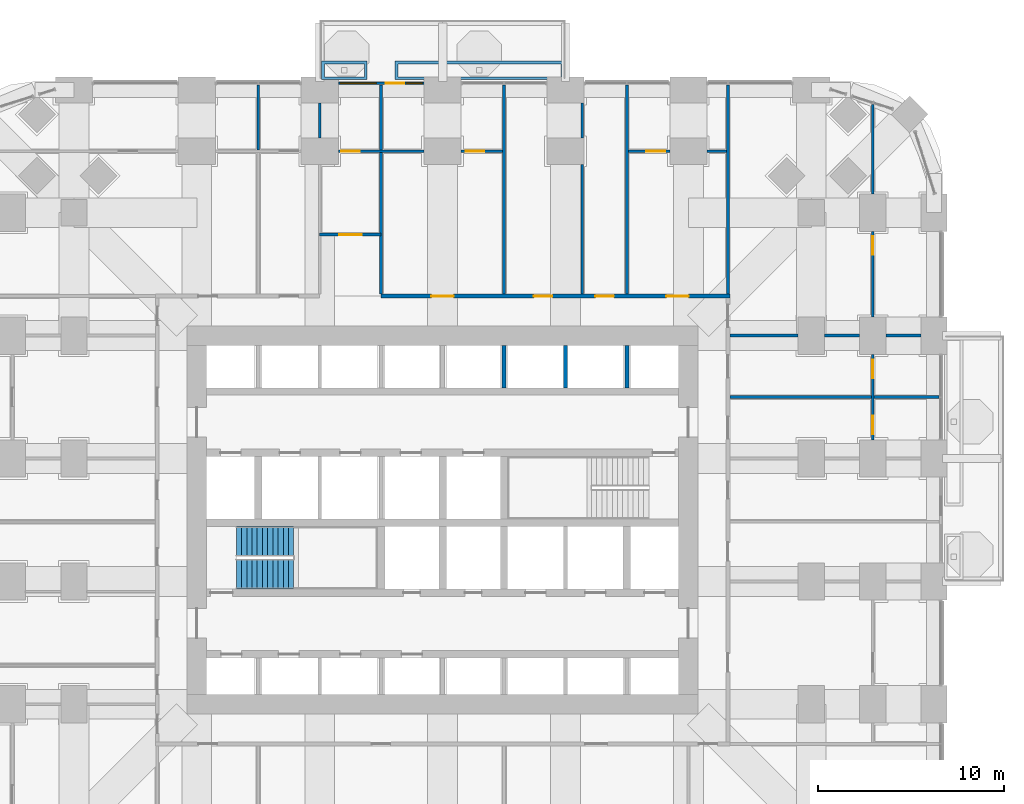
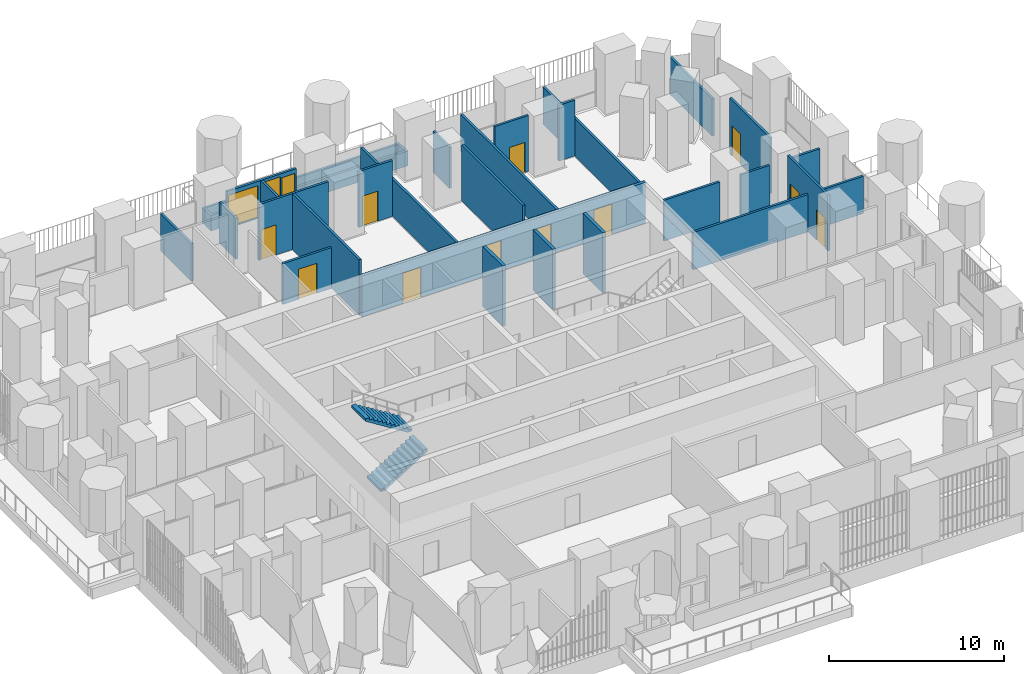
# One storey, part 19 of 25: 28 walls, 12 doors, 2 stair flights, 2 windows, 14 openings, 1 element without a shape of its own.
"""IFC4 building model written with IfcOpenShell, lengths in metres."""

from ifc_helpers import new_model, si_unit, direction, frame, frame_2d, origin, place, context, subcontext, project, spatial, polyline, rectangle, outline, extrude, material, layer, layer_set, type_object, element, fill, aggregate, save


model = new_model("IFC4")

# Units and contexts
model_context = context("Model", 3, precision=1e-05, world=origin(), true_north=direction((0.0, 1.0)))
body_context = subcontext(model_context, "Body", "Model", "MODEL_VIEW")
ifc_project = project(units=[si_unit("LENGTHUNIT", "METRE"), si_unit("AREAUNIT", "SQUARE_METRE"), si_unit("VOLUMEUNIT", "CUBIC_METRE"), si_unit("PLANEANGLEUNIT", "RADIAN"), si_unit("MASSUNIT", "GRAM", prefix="KILO")], contexts=[model_context])

# Site, building, storey
site_placement = place(None, origin())
site = spatial("IfcSite", under=ifc_project, at=site_placement, CompositionType="ELEMENT")
building_placement = place(site_placement, origin())
building = spatial("IfcBuilding", under=site, at=building_placement, Name="Cobogo Forest Laboratory Tower", CompositionType="ELEMENT")
storey_placement = place(building_placement, frame((0.0, 0.0, 67.5)))
storey = spatial("IfcBuildingStorey", under=building, at=storey_placement, Name="L15", CompositionType="ELEMENT", Elevation=67.5)

# Wall, openings, door, windows
ifc_material_1 = material(Name="Aluminium framed glazed screen", Category="aluminium")
ifc_layer_1 = layer(ifc_material_1, 0.14990234375)
ifc_layer_set_1 = layer_set([ifc_layer_1], Name="GS1 glazed door screen 150")
wall_type_1 = type_object("IfcWallType", Name="GS1 glazed door screen 150", PredefinedType="SOLIDWALL", material=ifc_layer_set_1)
wall_1_placement = place(storey_placement, frame((25.39990234375, 46.550048828125, 0.0), z_axis=(0.0, 0.0, 1.0), x_axis=(-1.0, 0.0, 0.0)))
wall_1 = element("IfcWall", 1, at=wall_1_placement, inside=storey, type_object=wall_type_1, Name="Door screen BAL-N1 L15", PredefinedType="SOLIDWALL", context=body_context, shape_type="SweptSolid", body=[
    extrude(rectangle(XDim=4.599853515625, YDim=0.14990234375, at=frame_2d((2.2998046875, 0.0))), origin(), (0.0, 0.0, 1.0), 2.60009765625),
])
opening_1_placement = place(wall_1_placement, frame((1.050048828125, 0.0, 0.0)))
opening_1 = element("IfcOpeningElement", 2, at=opening_1_placement, cuts=wall_1, Name="Opening L15-D51", PredefinedType="OPENING", context=body_context, shape_type="SweptSolid", body=[
    extrude(rectangle(XDim=1.0, YDim=2.39990234375, at=frame_2d((0.5, 1.199951171875))), frame((0.0, 0.0849609375, 0.0), z_axis=(0.0, -1.0, 0.0), x_axis=(1.0, 0.0, 0.0)), (0.0, 0.0, 1.0), 0.169921875),
])
opening_2_placement = place(wall_1_placement, frame((0.10009765625, 0.0, 0.10009765625)))
opening_2 = element("IfcOpeningElement", 3, at=opening_2_placement, cuts=wall_1, Name="Opening L15-W08", PredefinedType="OPENING", context=body_context, shape_type="SweptSolid", body=[
    extrude(rectangle(XDim=0.85009765625, YDim=2.199951171875, at=frame_2d((0.425048828125, 1.10009765625))), frame((0.0, 0.0849609375, 0.0), z_axis=(0.0, -1.0, 0.0), x_axis=(1.0, 0.0, 0.0)), (0.0, 0.0, 1.0), 0.169921875),
])
opening_3_placement = place(wall_1_placement, frame((2.550048828125, 0.0, 0.10009765625)))
opening_3 = element("IfcOpeningElement", 4, at=opening_3_placement, cuts=wall_1, Name="Opening L15-W07", PredefinedType="OPENING", context=body_context, shape_type="SweptSolid", body=[
    extrude(rectangle(XDim=1.949951171875, YDim=2.199951171875, at=frame_2d((0.97509765625, 1.10009765625))), frame((0.0, 0.0849609375, 0.0), z_axis=(0.0, -1.0, 0.0), x_axis=(1.0, 0.0, 0.0)), (0.0, 0.0, 1.0), 0.169921875),
])
ifc_material_2 = material(Name="Aluminium glazed door", Category="aluminium")
door_type_1 = type_object("IfcDoorType", Name="DB1 balcony door 1000 glazed", OperationType="SINGLE_SWING_LEFT", PredefinedType="DOOR", material=ifc_material_2)
door_1_placement = place(opening_1_placement, origin())
door_1 = element("IfcDoor", 5, at=door_1_placement, inside=storey, type_object=door_type_1, Name="Door L15-BAL-N1", OperationType="SINGLE_SWING_LEFT", OverallHeight=2.39990234375, OverallWidth=1.0, PredefinedType="DOOR", context=body_context, shape_type="SweptSolid", body=[
    extrude(rectangle(XDim=1.0, YDim=2.39990234375, at=frame_2d((0.5, 1.199951171875))), frame((0.0, 0.02490234375, 0.0), z_axis=(0.0, -1.0, 0.0), x_axis=(1.0, 0.0, 0.0)), (0.0, 0.0, 1.0), 0.050048828125),
])
fill(opening_1, door_1)
ifc_material_3 = material(Name="Aluminium framed glazing", Category="aluminium")
window_type_1 = type_object("IfcWindowType", Name="WG7 fixed glazed light 1950x2200", PartitioningType="SINGLE_PANEL", PredefinedType="WINDOW", material=ifc_material_3)
window_1_placement = place(opening_3_placement, origin())
window_1 = element("IfcWindow", 6, at=window_1_placement, inside=storey, type_object=window_type_1, Name="Window L15-BAL-N1-2", OverallHeight=2.199951171875, OverallWidth=1.949951171875, PartitioningType="SINGLE_PANEL", PredefinedType="WINDOW", context=body_context, shape_type="SweptSolid", body=[
    extrude(rectangle(XDim=1.949951171875, YDim=2.199951171875, at=frame_2d((0.97509765625, 1.10009765625))), frame((0.0, 0.030029296875, 0.0), z_axis=(0.0, -1.0, 0.0), x_axis=(1.0, 0.0, 0.0)), (0.0, 0.0, 1.0), 0.06005859375),
])
fill(opening_3, window_1)
window_type_2 = type_object("IfcWindowType", Name="WG8 fixed glazed light 850x2200", PartitioningType="SINGLE_PANEL", PredefinedType="WINDOW", material=ifc_material_3)
window_2_placement = place(opening_2_placement, origin())
window_2 = element("IfcWindow", 7, at=window_2_placement, inside=storey, type_object=window_type_2, Name="Window L15-BAL-N1-1", OverallHeight=2.199951171875, OverallWidth=0.85009765625, PartitioningType="SINGLE_PANEL", PredefinedType="WINDOW", context=body_context, shape_type="SweptSolid", body=[
    extrude(rectangle(XDim=0.85009765625, YDim=2.199951171875, at=frame_2d((0.425048828125, 1.10009765625))), frame((0.0, 0.030029296875, 0.0), z_axis=(0.0, -1.0, 0.0), x_axis=(1.0, 0.0, 0.0)), (0.0, 0.0, 1.0), 0.06005859375),
])
fill(opening_2, window_2)

# Wall
ifc_material_4 = material(Name="Gypsum board on steel studs", Category="steel")
ifc_layer_2 = layer(ifc_material_4, 0.14990234375)
ifc_layer_set_2 = layer_set([ifc_layer_2], Name="PT1 laboratory partition 150")
wall_type_2 = type_object("IfcWallType", Name="PT1 laboratory partition 150", PredefinedType="PARTITIONING", material=ifc_layer_set_2)
wall_2_placement = place(storey_placement, frame((41.72509765625, 46.469970703125, 0.0), z_axis=(0.0, 0.0, 1.0), x_axis=(0.0, -1.0, 0.0)))
element("IfcWall", 8, at=wall_2_placement, inside=storey, type_object=wall_type_2, Name="Partition PW-NE L15", PredefinedType="PARTITIONING", context=body_context, shape_type="SweptSolid", body=[
    extrude(rectangle(XDim=11.244873046875, YDim=0.14990234375, at=frame_2d((5.62255859375, 0.0))), origin(), (0.0, 0.0, 1.0), 2.60009765625),
])

# Wall, openings, doors
wall_3_placement = place(storey_placement, frame((49.5, 27.39990234375, 0.0), z_axis=(0.0, 0.0, 1.0), x_axis=(0.0, 1.0, 0.0)))
wall_3 = element("IfcWall", 9, at=wall_3_placement, inside=storey, type_object=wall_type_2, Name="Partition STRIP-E-3 L15", PredefinedType="PARTITIONING", context=body_context, shape_type="SweptSolid", body=[
    extrude(rectangle(XDim=4.60009765625, YDim=0.14990234375, at=frame_2d((2.300048828125, 0.0))), origin(), (0.0, 0.0, 1.0), 3.89990234375),
])
opening_4_placement = place(wall_3_placement, frame((0.300048828125, 0.0, 0.0)))
opening_4 = element("IfcOpeningElement", 10, at=opening_4_placement, cuts=wall_3, Name="Opening L15-D29", PredefinedType="OPENING", context=body_context, shape_type="SweptSolid", body=[
    extrude(rectangle(XDim=1.0, YDim=2.10009765625, at=frame_2d((0.5, 1.050048828125))), frame((0.0, 0.0849609375, 0.0), z_axis=(0.0, -1.0, 0.0), x_axis=(1.0, 0.0, 0.0)), (0.0, 0.0, 1.0), 0.169921875),
])
opening_5_placement = place(wall_3_placement, frame((3.300048828125, 0.0, 0.0)))
opening_5 = element("IfcOpeningElement", 11, at=opening_5_placement, cuts=wall_3, Name="Opening L15-D34", PredefinedType="OPENING", context=body_context, shape_type="SweptSolid", body=[
    extrude(rectangle(XDim=1.0, YDim=2.10009765625, at=frame_2d((0.5, 1.050048828125))), frame((0.0, 0.0849609375, 0.0), z_axis=(0.0, -1.0, 0.0), x_axis=(1.0, 0.0, 0.0)), (0.0, 0.0, 1.0), 0.169921875),
])
ifc_material_5 = material(Name="Timber fire door", Category="wood")
door_type_2 = type_object("IfcDoorType", Name="FD2 fire door 1000 EI2 30", OperationType="SINGLE_SWING_LEFT", PredefinedType="DOOR", material=ifc_material_5)
door_2_placement = place(opening_4_placement, origin())
door_2 = element("IfcDoor", 12, at=door_2_placement, inside=storey, type_object=door_type_2, Name="Door L15-E2W", OperationType="SINGLE_SWING_LEFT", OverallHeight=2.10009765625, OverallWidth=1.0, PredefinedType="DOOR", context=body_context, shape_type="SweptSolid", body=[
    extrude(rectangle(XDim=1.0, YDim=2.10009765625, at=frame_2d((0.5, 1.050048828125))), frame((0.0, 0.02490234375, 0.0), z_axis=(0.0, -1.0, 0.0), x_axis=(1.0, 0.0, 0.0)), (0.0, 0.0, 1.0), 0.050048828125),
])
fill(opening_4, door_2)
door_3_placement = place(opening_5_placement, origin())
door_3 = element("IfcDoor", 13, at=door_3_placement, inside=storey, type_object=door_type_2, Name="Door L15-E3W", OperationType="SINGLE_SWING_RIGHT", OverallHeight=2.10009765625, OverallWidth=1.0, PredefinedType="DOOR", context=body_context, shape_type="SweptSolid", body=[
    extrude(rectangle(XDim=1.0, YDim=2.10009765625, at=frame_2d((0.5, 1.050048828125))), frame((0.0, 0.02490234375, 0.0), z_axis=(0.0, -1.0, 0.0), x_axis=(1.0, 0.0, 0.0)), (0.0, 0.0, 1.0), 0.050048828125),
])
fill(opening_5, door_3)

# Wall, opening, door
wall_4_placement = place(storey_placement, frame((49.5, 34.0, 0.0), z_axis=(0.0, 0.0, 1.0), x_axis=(0.0, 1.0, 0.0)))
wall_4 = element("IfcWall", 14, at=wall_4_placement, inside=storey, type_object=wall_type_2, Name="Partition STRIP-E-4 L15", PredefinedType="PARTITIONING", context=body_context, shape_type="SweptSolid", body=[
    extrude(rectangle(XDim=4.60009765625, YDim=0.14990234375, at=frame_2d((2.300048828125, 0.0))), origin(), (0.0, 0.0, 1.0), 3.89990234375),
])
opening_6_placement = place(wall_4_placement, frame((3.35009765625, 0.0, 0.0)))
opening_6 = element("IfcOpeningElement", 15, at=opening_6_placement, cuts=wall_4, Name="Opening L15-D44", PredefinedType="OPENING", context=body_context, shape_type="SweptSolid", body=[
    extrude(rectangle(XDim=1.0, YDim=2.10009765625, at=frame_2d((0.5, 1.050048828125))), frame((0.0, 0.0849609375, 0.0), z_axis=(0.0, -1.0, 0.0), x_axis=(1.0, 0.0, 0.0)), (0.0, 0.0, 1.0), 0.169921875),
])
door_4_placement = place(opening_6_placement, origin())
door_4 = element("IfcDoor", 16, at=door_4_placement, inside=storey, type_object=door_type_2, Name="Door L15-E4W", OperationType="SINGLE_SWING_RIGHT", OverallHeight=2.10009765625, OverallWidth=1.0, PredefinedType="DOOR", context=body_context, shape_type="SweptSolid", body=[
    extrude(rectangle(XDim=1.0, YDim=2.10009765625, at=frame_2d((0.5, 1.050048828125))), frame((0.0, 0.02490234375, 0.0), z_axis=(0.0, -1.0, 0.0), x_axis=(1.0, 0.0, 0.0)), (0.0, 0.0, 1.0), 0.050048828125),
])
fill(opening_6, door_4)

# Walls
wall_5_placement = place(storey_placement, frame((49.5, 40.60009765625, 0.0), z_axis=(0.0, 0.0, 1.0), x_axis=(0.0, 1.0, 0.0)))
element("IfcWall", 17, at=wall_5_placement, inside=storey, type_object=wall_type_2, Name="Partition STRIP-E-5 L15", PredefinedType="PARTITIONING", context=body_context, shape_type="SweptSolid", body=[
    extrude(rectangle(XDim=4.823974609375, YDim=0.14990234375, at=frame_2d((2.412109375, 0.0))), origin(), (0.0, 0.0, 1.0), 2.60009765625),
])
wall_6_placement = place(storey_placement, frame((53.070068359375, 29.699951171875, 0.0), z_axis=(0.0, 0.0, 1.0), x_axis=(-1.0, 0.0, 0.0)))
element("IfcWall", 18, at=wall_6_placement, inside=storey, type_object=wall_type_2, Name="Partition CUT-E29.7-1 L15", PredefinedType="PARTITIONING", context=body_context, shape_type="SweptSolid", body=[
    extrude(rectangle(XDim=11.2451171875, YDim=0.14990234375, at=frame_2d((5.62255859375, 0.0))), origin(), (0.0, 0.0, 1.0), 2.60009765625),
])
for number, where, z_axis, x_axis, name in (
    (19, (52.10009765625, 33.0, 0.0), (0.0, 0.0, 1.0), (-1.0, 0.0, 0.0), "Partition CUT-E33a-1 L15"),
    (20, (48.800048828125, 33.0, 0.0), (0.0, 0.0, 1.0), (-1.0, 0.0, 0.0), "Partition CUT-E33b-1 L15"),
):
    element("IfcWall", number, at=place(storey_placement, frame(where, z_axis=z_axis, x_axis=x_axis)), inside=storey, type_object=wall_type_2, Name=name, PredefinedType="PARTITIONING", context=body_context, shape_type="SweptSolid", body=[
        extrude(rectangle(XDim=1.900146484375, YDim=0.14990234375, at=frame_2d((0.9501953125, 0.0))), origin(), (0.0, 0.0, 1.0), 2.85009765625),
    ])
wall_7_placement = place(storey_placement, frame((45.5, 33.0, 0.0), z_axis=(0.0, 0.0, 1.0), x_axis=(-1.0, 0.0, 0.0)))
element("IfcWall", 21, at=wall_7_placement, inside=storey, type_object=wall_type_2, Name="Partition CUT-E33b-2 L15", PredefinedType="PARTITIONING", context=body_context, shape_type="SweptSolid", body=[
    extrude(rectangle(XDim=3.675048828125, YDim=0.14990234375, at=frame_2d((1.83740234375, 0.0))), origin(), (0.0, 0.0, 1.0), 2.85009765625),
])
wall_8_placement = place(storey_placement, frame((41.64990234375, 42.89990234375, 0.0), z_axis=(0.0, 0.0, 1.0), x_axis=(-1.0, 0.0, 0.0)))
element("IfcWall", 22, at=wall_8_placement, inside=storey, type_object=wall_type_2, Name="Partition STRIP-N-1 L15", PredefinedType="PARTITIONING", context=body_context, shape_type="SweptSolid", body=[
    extrude(rectangle(XDim=1.0498046875, YDim=0.14990234375, at=frame_2d((0.52490234375, 0.0))), origin(), (0.0, 0.0, 1.0), 3.89990234375),
])

# Wall, opening, door
wall_9_placement = place(storey_placement, frame((38.60009765625, 42.89990234375, 0.0), z_axis=(0.0, 0.0, 1.0), x_axis=(-1.0, 0.0, 0.0)))
wall_9 = element("IfcWall", 23, at=wall_9_placement, inside=storey, type_object=wall_type_2, Name="Partition STRIP-N-2 L15", PredefinedType="PARTITIONING", context=body_context, shape_type="SweptSolid", body=[
    extrude(rectangle(XDim=2.22509765625, YDim=0.14990234375, at=frame_2d((1.112548828125, 0.0))), origin(), (0.0, 0.0, 1.0), 3.89990234375),
])
opening_7_placement = place(wall_9_placement, frame((0.25, 0.0, 0.0)))
opening_7 = element("IfcOpeningElement", 24, at=opening_7_placement, cuts=wall_9, Name="Opening L15-D50", PredefinedType="OPENING", context=body_context, shape_type="SweptSolid", body=[
    extrude(rectangle(XDim=1.0, YDim=2.10009765625, at=frame_2d((0.5, 1.050048828125))), frame((0.0, 0.0849609375, 0.0), z_axis=(0.0, -1.0, 0.0), x_axis=(1.0, 0.0, 0.0)), (0.0, 0.0, 1.0), 0.169921875),
])
door_5_placement = place(opening_7_placement, origin())
door_5 = element("IfcDoor", 25, at=door_5_placement, inside=storey, type_object=door_type_2, Name="Door L15-N5W", OperationType="SINGLE_SWING_LEFT", OverallHeight=2.10009765625, OverallWidth=1.0, PredefinedType="DOOR", context=body_context, shape_type="SweptSolid", body=[
    extrude(rectangle(XDim=1.0, YDim=2.10009765625, at=frame_2d((0.5, 1.050048828125))), frame((0.0, 0.02490234375, 0.0), z_axis=(0.0, -1.0, 0.0), x_axis=(1.0, 0.0, 0.0)), (0.0, 0.0, 1.0), 0.050048828125),
])
fill(opening_7, door_5)

wall_10_placement = place(storey_placement, frame((29.625, 42.89990234375, 0.0), z_axis=(0.0, 0.0, 1.0), x_axis=(-1.0, 0.0, 0.0)))
wall_10 = element("IfcWall", 26, at=wall_10_placement, inside=storey, type_object=wall_type_2, Name="Partition STRIP-N-3 L15", PredefinedType="PARTITIONING", context=body_context, shape_type="SweptSolid", body=[
    extrude(rectangle(XDim=2.22509765625, YDim=0.14990234375, at=frame_2d((1.112548828125, 0.0))), origin(), (0.0, 0.0, 1.0), 3.89990234375),
])
opening_8_placement = place(wall_10_placement, frame((0.97509765625, 0.0, 0.0)))
opening_8 = element("IfcOpeningElement", 27, at=opening_8_placement, cuts=wall_10, Name="Opening L15-D49", PredefinedType="OPENING", context=body_context, shape_type="SweptSolid", body=[
    extrude(rectangle(XDim=1.0, YDim=2.10009765625, at=frame_2d((0.5, 1.050048828125))), frame((0.0, 0.0849609375, 0.0), z_axis=(0.0, -1.0, 0.0), x_axis=(1.0, 0.0, 0.0)), (0.0, 0.0, 1.0), 0.169921875),
])
door_6_placement = place(opening_8_placement, origin())
door_6 = element("IfcDoor", 28, at=door_6_placement, inside=storey, type_object=door_type_2, Name="Door L15-N4W", OperationType="SINGLE_SWING_RIGHT", OverallHeight=2.10009765625, OverallWidth=1.0, PredefinedType="DOOR", context=body_context, shape_type="SweptSolid", body=[
    extrude(rectangle(XDim=1.0, YDim=2.10009765625, at=frame_2d((0.5, 1.050048828125))), frame((0.0, 0.02490234375, 0.0), z_axis=(0.0, -1.0, 0.0), x_axis=(1.0, 0.0, 0.0)), (0.0, 0.0, 1.0), 0.050048828125),
])
fill(opening_8, door_6)

wall_11_placement = place(storey_placement, frame((25.39990234375, 42.89990234375, 0.0), z_axis=(0.0, 0.0, 1.0), x_axis=(-1.0, 0.0, 0.0)))
wall_11 = element("IfcWall", 29, at=wall_11_placement, inside=storey, type_object=wall_type_2, Name="Partition STRIP-N-4 L15", PredefinedType="PARTITIONING", context=body_context, shape_type="SweptSolid", body=[
    extrude(rectangle(XDim=4.599853515625, YDim=0.14990234375, at=frame_2d((2.2998046875, 0.0))), origin(), (0.0, 0.0, 1.0), 3.89990234375),
])
opening_9_placement = place(wall_11_placement, frame((3.449951171875, 0.0, 0.0)))
opening_9 = element("IfcOpeningElement", 30, at=opening_9_placement, cuts=wall_11, Name="Opening L15-D48", PredefinedType="OPENING", context=body_context, shape_type="SweptSolid", body=[
    extrude(rectangle(XDim=1.0, YDim=2.10009765625, at=frame_2d((0.5, 1.050048828125))), frame((0.0, 0.0849609375, 0.0), z_axis=(0.0, -1.0, 0.0), x_axis=(1.0, 0.0, 0.0)), (0.0, 0.0, 1.0), 0.169921875),
])
door_7_placement = place(opening_9_placement, origin())
door_7 = element("IfcDoor", 31, at=door_7_placement, inside=storey, type_object=door_type_2, Name="Door L15-N3W", OperationType="SINGLE_SWING_RIGHT", OverallHeight=2.10009765625, OverallWidth=1.0, PredefinedType="DOOR", context=body_context, shape_type="SweptSolid", body=[
    extrude(rectangle(XDim=1.0, YDim=2.10009765625, at=frame_2d((0.5, 1.050048828125))), frame((0.0, 0.02490234375, 0.0), z_axis=(0.0, -1.0, 0.0), x_axis=(1.0, 0.0, 0.0)), (0.0, 0.0, 1.0), 0.050048828125),
])
fill(opening_9, door_7)

wall_12_placement = place(storey_placement, frame((19.800048828125, 38.425048828125, 0.0), z_axis=(0.0, 0.0, 1.0), x_axis=(1.0, 0.0, 0.0)))
wall_12 = element("IfcWall", 32, at=wall_12_placement, inside=storey, type_object=wall_type_2, Name="Partition NODE-N-1 L15", PredefinedType="PARTITIONING", context=body_context, shape_type="SweptSolid", body=[
    extrude(rectangle(XDim=3.300048828125, YDim=0.14990234375, at=frame_2d((1.64990234375, 0.0))), origin(), (0.0, 0.0, 1.0), 2.85009765625),
])
opening_10_placement = place(wall_12_placement, frame((1.050048828125, 0.0, 0.0)))
opening_10 = element("IfcOpeningElement", 33, at=opening_10_placement, cuts=wall_12, Name="Opening L15-D45", PredefinedType="OPENING", context=body_context, shape_type="SweptSolid", body=[
    extrude(rectangle(XDim=1.199951171875, YDim=2.10009765625, at=frame_2d((0.60009765625, 1.050048828125))), frame((0.0, 0.0849609375, 0.0), z_axis=(0.0, -1.0, 0.0), x_axis=(1.0, 0.0, 0.0)), (0.0, 0.0, 1.0), 0.169921875),
])
ifc_material_6 = material(Name="Timber door", Category="wood")
door_type_3 = type_object("IfcDoorType", Name="D2 laboratory door 1200 unequal pair", OperationType="DOUBLE_DOOR_SINGLE_SWING", PredefinedType="DOOR", material=ifc_material_6)
door_8_placement = place(opening_10_placement, origin())
door_8 = element("IfcDoor", 34, at=door_8_placement, inside=storey, type_object=door_type_3, Name="Door L15-N3", OperationType="DOUBLE_DOOR_SINGLE_SWING", OverallHeight=2.10009765625, OverallWidth=1.199951171875, PredefinedType="DOOR", context=body_context, shape_type="SweptSolid", body=[
    extrude(rectangle(XDim=1.199951171875, YDim=2.10009765625, at=frame_2d((0.60009765625, 1.050048828125))), frame((0.0, 0.02490234375, 0.0), z_axis=(0.0, -1.0, 0.0), x_axis=(1.0, 0.0, 0.0)), (0.0, 0.0, 1.0), 0.050048828125),
])
fill(opening_10, door_8)

# Walls
wall_13_placement = place(storey_placement, frame((33.89990234375, 45.5, 0.0), z_axis=(0.0, 0.0, 1.0), x_axis=(0.0, -1.0, 0.0)))
element("IfcWall", 35, at=wall_13_placement, inside=storey, type_object=wall_type_2, Name="Partition SVC-N1-1 L15", PredefinedType="PARTITIONING", context=body_context, shape_type="SweptSolid", body=[
    extrude(rectangle(XDim=1.89990234375, YDim=0.14990234375, at=frame_2d((0.949951171875, 0.0))), origin(), (0.0, 0.0, 1.0), 2.85009765625),
])
wall_14_placement = place(storey_placement, frame((33.89990234375, 42.199951171875, 0.0), z_axis=(0.0, 0.0, 1.0), x_axis=(0.0, -1.0, 0.0)))
element("IfcWall", 36, at=wall_14_placement, inside=storey, type_object=wall_type_2, Name="Partition SVC-N1-2 L15", PredefinedType="PARTITIONING", context=body_context, shape_type="SweptSolid", body=[
    extrude(rectangle(XDim=6.974853515625, YDim=0.14990234375, at=frame_2d((3.4873046875, 0.0))), origin(), (0.0, 0.0, 1.0), 3.89990234375),
])
wall_15_placement = place(storey_placement, frame((36.300048828125, 46.469970703125, 0.0), z_axis=(0.0, 0.0, 1.0), x_axis=(0.0, -1.0, 0.0)))
element("IfcWall", 37, at=wall_15_placement, inside=storey, type_object=wall_type_2, Name="Partition SVC-N2-1 L15", PredefinedType="PARTITIONING", context=body_context, shape_type="SweptSolid", body=[
    extrude(rectangle(XDim=11.244873046875, YDim=0.14990234375, at=frame_2d((5.62255859375, 0.0))), origin(), (0.0, 0.0, 1.0), 2.60009765625),
])
wall_16_placement = place(storey_placement, frame((16.5, 46.469970703125, 0.0), z_axis=(0.0, 0.0, 1.0), x_axis=(0.0, -1.0, 0.0)))
element("IfcWall", 38, at=wall_16_placement, inside=storey, type_object=wall_type_2, Name="Partition CUT-N16.5a-1 L15", PredefinedType="PARTITIONING", context=body_context, shape_type="SweptSolid", body=[
    extrude(rectangle(XDim=3.494873046875, YDim=0.14990234375, at=frame_2d((1.74755859375, 0.0))), origin(), (0.0, 0.0, 1.0), 2.60009765625),
])
wall_17_placement = place(storey_placement, frame((19.800048828125, 45.5, 0.0), z_axis=(0.0, 0.0, 1.0), x_axis=(0.0, -1.0, 0.0)))
element("IfcWall", 39, at=wall_17_placement, inside=storey, type_object=wall_type_2, Name="Partition CUT-N19.8a-1 L15", PredefinedType="PARTITIONING", context=body_context, shape_type="SweptSolid", body=[
    extrude(rectangle(XDim=1.89990234375, YDim=0.14990234375, at=frame_2d((0.949951171875, 0.0))), origin(), (0.0, 0.0, 1.0), 2.85009765625),
])
wall_18_placement = place(storey_placement, frame((23.10009765625, 46.469970703125, 0.0), z_axis=(0.0, 0.0, 1.0), x_axis=(0.0, -1.0, 0.0)))
element("IfcWall", 40, at=wall_18_placement, inside=storey, type_object=wall_type_2, Name="Partition CUT-N23.1a-1 L15", PredefinedType="PARTITIONING", context=body_context, shape_type="SweptSolid", body=[
    extrude(rectangle(XDim=3.494873046875, YDim=0.14990234375, at=frame_2d((1.74755859375, 0.0))), origin(), (0.0, 0.0, 1.0), 2.60009765625),
])
wall_19_placement = place(storey_placement, frame((23.10009765625, 42.824951171875, 0.0), z_axis=(0.0, 0.0, 1.0), x_axis=(0.0, -1.0, 0.0)))
element("IfcWall", 41, at=wall_19_placement, inside=storey, type_object=wall_type_2, Name="Partition CUT-N23.1b-1 L15", PredefinedType="PARTITIONING", context=body_context, shape_type="SweptSolid", body=[
    extrude(rectangle(XDim=7.599853515625, YDim=0.14990234375, at=frame_2d((3.7998046875, 0.0))), origin(), (0.0, 0.0, 1.0), 3.89990234375),
])
wall_20_placement = place(storey_placement, frame((29.699951171875, 46.469970703125, 0.0), z_axis=(0.0, 0.0, 1.0), x_axis=(0.0, -1.0, 0.0)))
element("IfcWall", 42, at=wall_20_placement, inside=storey, type_object=wall_type_2, Name="Partition CUT-N29.7-1 L15", PredefinedType="PARTITIONING", context=body_context, shape_type="SweptSolid", body=[
    extrude(rectangle(XDim=11.244873046875, YDim=0.14990234375, at=frame_2d((5.62255859375, 0.0))), origin(), (0.0, 0.0, 1.0), 2.60009765625),
])

# Wall, openings, doors
ifc_layer_3 = layer(ifc_material_4, 0.199951171875)
ifc_layer_set_3 = layer_set([ifc_layer_3], Name="PT2 fire-rated corridor partition 200")
wall_type_3 = type_object("IfcWallType", Name="PT2 fire-rated corridor partition 200", PredefinedType="PARTITIONING", material=ifc_layer_set_3)
wall_21_placement = place(storey_placement, frame((23.10009765625, 35.125, 0.0), z_axis=(0.0, 0.0, 1.0), x_axis=(1.0, 0.0, 0.0)))
wall_21 = element("IfcWall", 43, at=wall_21_placement, inside=storey, type_object=wall_type_3, Name="Partition CORR-N-2 L15", PredefinedType="PARTITIONING", context=body_context, shape_type="SweptSolid", body=[
    extrude(rectangle(XDim=18.724853515625, YDim=0.199951171875, at=frame_2d((9.3623046875, 0.0))), origin(), (0.0, 0.0, 1.0), 2.85009765625),
])
opening_11_placement = place(wall_21_placement, frame((2.699951171875, 0.0, 0.0)))
opening_11 = element("IfcOpeningElement", 44, at=opening_11_placement, cuts=wall_21, Name="Opening L15-D40", PredefinedType="OPENING", context=body_context, shape_type="SweptSolid", body=[
    extrude(rectangle(XDim=1.199951171875, YDim=2.10009765625, at=frame_2d((0.60009765625, 1.050048828125))), frame((0.0, 0.10986328125, 0.0), z_axis=(0.0, -1.0, 0.0), x_axis=(1.0, 0.0, 0.0)), (0.0, 0.0, 1.0), 0.219970703125),
])
opening_12_placement = place(wall_21_placement, frame((8.199951171875, 0.0, 0.0)))
opening_12 = element("IfcOpeningElement", 45, at=opening_12_placement, cuts=wall_21, Name="Opening L15-D41", PredefinedType="OPENING", context=body_context, shape_type="SweptSolid", body=[
    extrude(rectangle(XDim=1.0, YDim=2.10009765625, at=frame_2d((0.5, 1.050048828125))), frame((0.0, 0.10986328125, 0.0), z_axis=(0.0, -1.0, 0.0), x_axis=(1.0, 0.0, 0.0)), (0.0, 0.0, 1.0), 0.219970703125),
])
opening_13_placement = place(wall_21_placement, frame((11.5, 0.0, 0.0)))
opening_13 = element("IfcOpeningElement", 46, at=opening_13_placement, cuts=wall_21, Name="Opening L15-D42", PredefinedType="OPENING", context=body_context, shape_type="SweptSolid", body=[
    extrude(rectangle(XDim=1.0, YDim=2.10009765625, at=frame_2d((0.5, 1.050048828125))), frame((0.0, 0.10986328125, 0.0), z_axis=(0.0, -1.0, 0.0), x_axis=(1.0, 0.0, 0.0)), (0.0, 0.0, 1.0), 0.219970703125),
])
opening_14_placement = place(wall_21_placement, frame((15.3125, 0.0, 0.0)))
opening_14 = element("IfcOpeningElement", 47, at=opening_14_placement, cuts=wall_21, Name="Opening L15-D43", PredefinedType="OPENING", context=body_context, shape_type="SweptSolid", body=[
    extrude(rectangle(XDim=1.199951171875, YDim=2.10009765625, at=frame_2d((0.60009765625, 1.050048828125))), frame((0.0, 0.10986328125, 0.0), z_axis=(0.0, -1.0, 0.0), x_axis=(1.0, 0.0, 0.0)), (0.0, 0.0, 1.0), 0.219970703125),
])
door_9_placement = place(opening_11_placement, origin())
door_9 = element("IfcDoor", 48, at=door_9_placement, inside=storey, type_object=door_type_3, Name="Door L15-N4", OperationType="DOUBLE_DOOR_SINGLE_SWING", OverallHeight=2.10009765625, OverallWidth=1.199951171875, PredefinedType="DOOR", context=body_context, shape_type="SweptSolid", body=[
    extrude(rectangle(XDim=1.199951171875, YDim=2.10009765625, at=frame_2d((0.60009765625, 1.050048828125))), frame((0.0, 0.02490234375, 0.0), z_axis=(0.0, -1.0, 0.0), x_axis=(1.0, 0.0, 0.0)), (0.0, 0.0, 1.0), 0.050048828125),
])
fill(opening_11, door_9)
door_10_placement = place(opening_14_placement, origin())
door_10 = element("IfcDoor", 49, at=door_10_placement, inside=storey, type_object=door_type_3, Name="Door L15-N5", OperationType="DOUBLE_DOOR_SINGLE_SWING", OverallHeight=2.10009765625, OverallWidth=1.199951171875, PredefinedType="DOOR", context=body_context, shape_type="SweptSolid", body=[
    extrude(rectangle(XDim=1.199951171875, YDim=2.10009765625, at=frame_2d((0.60009765625, 1.050048828125))), frame((0.0, 0.02490234375, 0.0), z_axis=(0.0, -1.0, 0.0), x_axis=(1.0, 0.0, 0.0)), (0.0, 0.0, 1.0), 0.050048828125),
])
fill(opening_14, door_10)
door_11_placement = place(opening_12_placement, origin())
door_11 = element("IfcDoor", 50, at=door_11_placement, inside=storey, type_object=door_type_2, Name="Door L15-MTG", OperationType="SINGLE_SWING_LEFT", OverallHeight=2.10009765625, OverallWidth=1.0, PredefinedType="DOOR", context=body_context, shape_type="SweptSolid", body=[
    extrude(rectangle(XDim=1.0, YDim=2.10009765625, at=frame_2d((0.5, 1.050048828125))), frame((0.0, 0.02490234375, 0.0), z_axis=(0.0, -1.0, 0.0), x_axis=(1.0, 0.0, 0.0)), (0.0, 0.0, 1.0), 0.050048828125),
])
fill(opening_12, door_11)
door_12_placement = place(opening_13_placement, origin())
door_12 = element("IfcDoor", 51, at=door_12_placement, inside=storey, type_object=door_type_2, Name="Door L15-PAN", OperationType="SINGLE_SWING_RIGHT", OverallHeight=2.10009765625, OverallWidth=1.0, PredefinedType="DOOR", context=body_context, shape_type="SweptSolid", body=[
    extrude(rectangle(XDim=1.0, YDim=2.10009765625, at=frame_2d((0.5, 1.050048828125))), frame((0.0, 0.02490234375, 0.0), z_axis=(0.0, -1.0, 0.0), x_axis=(1.0, 0.0, 0.0)), (0.0, 0.0, 1.0), 0.050048828125),
])
fill(opening_13, door_12)

# Walls
ifc_material_7 = material(Name="Concrete HA-40 (C40/50)", Category="concrete")
ifc_layer_4 = layer(ifc_material_7, 0.14990234375)
ifc_layer_set_4 = layer_set([ifc_layer_4], Name="Planter box 1000x1050")
wall_type_4 = type_object("IfcWallType", Name="Planter box 1000x1050", PredefinedType="USERDEFINED", material=ifc_layer_set_4)
wall_22_placement = place(storey_placement, origin())
element("IfcWall", 52, at=wall_22_placement, inside=storey, type_object=wall_type_4, Name="Planter BAL-N1-1 L15", ObjectType="PLANTER", PredefinedType="USERDEFINED", context=body_context, shape_type="SweptSolid", body=[
    extrude(outline(polyline([(19.89990234375, 46.75), (22.35009765625, 46.75), (22.35009765625, 47.75), (19.89990234375, 47.75), (19.89990234375, 46.75)]), holes=[polyline([(20.050048828125, 46.89990234375), (22.199951171875, 46.89990234375), (22.199951171875, 47.60009765625), (20.050048828125, 47.60009765625), (20.050048828125, 46.89990234375)])]), origin(), (0.0, 0.0, 1.0), 1.050048828125),
])
wall_23_placement = place(storey_placement, origin())
element("IfcWall", 53, at=wall_23_placement, inside=storey, type_object=wall_type_4, Name="Planter BAL-N1-2 L15", ObjectType="PLANTER", PredefinedType="USERDEFINED", context=body_context, shape_type="SweptSolid", body=[
    extrude(outline(polyline([(23.85009765625, 46.75), (32.89990234375, 46.75), (32.89990234375, 47.75), (23.85009765625, 47.75), (23.85009765625, 46.75)]), holes=[polyline([(24.0, 46.89990234375), (32.75, 46.89990234375), (32.75, 47.60009765625), (24.0, 47.60009765625), (24.0, 46.89990234375)])]), origin(), (0.0, 0.0, 1.0), 1.050048828125),
])
ifc_material_8 = material(Name="Concrete block", Category="concrete")
ifc_layer_5 = layer(ifc_material_8, 0.199951171875)
ifc_layer_set_5 = layer_set([ifc_layer_5], Name="SW200 lift shaft separator 200")
wall_type_5 = type_object("IfcWallType", Name="SW200 lift shaft separator 200", PredefinedType="PARTITIONING", material=ifc_layer_set_5)
for number, where, z_axis, x_axis, name in (
    (54, (29.699951171875, 30.199951171875, 0.0), (0.0, 0.0, 1.0), (0.0, 1.0, 0.0), "Core wall SEP-N5 L15"),
    (55, (33.0, 30.199951171875, 0.0), (0.0, 0.0, 1.0), (0.0, 1.0, 0.0), "Core wall SEP-N6 L15"),
    (56, (36.300048828125, 30.199951171875, 0.0), (0.0, 0.0, 1.0), (0.0, 1.0, 0.0), "Core wall SEP-N7 L15"),
):
    element("IfcWall", number, at=place(storey_placement, frame(where, z_axis=z_axis, x_axis=x_axis)), inside=storey, type_object=wall_type_5, Name=name, PredefinedType="PARTITIONING", context=body_context, shape_type="SweptSolid", body=[
        extrude(rectangle(XDim=2.275146484375, YDim=0.199951171875, at=frame_2d((1.1376953125, 0.0))), origin(), (0.0, 0.0, 1.0), 4.199951171875),
    ])

# Stair, stair flights
ifc_material_9 = material(Name="Precast concrete HA-40 (C40/50)", Category="concrete")
stair_type = type_object("IfcStairType", Name="ST24 exit stair 24 risers", PredefinedType="HALF_TURN_STAIR", material=ifc_material_9)
stair_placement = place(storey_placement, origin())
stair = element("IfcStair", 57, at=stair_placement, inside=storey, type_object=stair_type, Name="Stair 1 L15 to L16", PredefinedType="HALF_TURN_STAIR")
stair_flight_type = type_object("IfcStairFlightType", Name="ST stair flight 280 going", PredefinedType="STRAIGHT", material=ifc_material_9)
stair_flight_1_placement = place(storey_placement, frame((15.324951171875, 20.199951171875, 0.0), z_axis=(0.0, 0.0, 1.0), x_axis=(1.0, 0.0, 0.0)))
stair_flight_1 = element("IfcStairFlight", 58, at=stair_flight_1_placement, type_object=stair_flight_type, Name="ST1 flight 1", NumberOfRisers=12, NumberOfTreads=11, PredefinedType="STRAIGHT", RiserHeight=0.175, TreadLength=0.28, context=body_context, shape_type="SweptSolid", body=[
    extrude(outline(polyline([(0.0, 0.0), (0.0, 0.175048828125), (0.280029296875, 0.175048828125), (0.280029296875, 0.35009765625), (0.56005859375, 0.35009765625), (0.56005859375, 0.52490234375), (0.840087890625, 0.52490234375), (0.840087890625, 0.699951171875), (1.1201171875, 0.699951171875), (1.1201171875, 0.875), (1.39990234375, 0.875), (1.39990234375, 1.050048828125), (1.679931640625, 1.050048828125), (1.679931640625, 1.22509765625), (1.9599609375, 1.22509765625), (1.9599609375, 1.39990234375), (2.239990234375, 1.39990234375), (2.239990234375, 1.574951171875), (2.52001953125, 1.574951171875), (2.52001953125, 1.75), (2.800048828125, 1.75), (2.800048828125, 1.925048828125), (3.080078125, 1.925048828125), (3.080078125, 2.10009765625), (3.080078125, 1.748291015625), (0.28271484375, 0.0), (0.0, 0.0)])), frame((0.0, 0.800048828125, 0.0), z_axis=(0.0, -1.0, 0.0), x_axis=(1.0, 0.0, 0.0)), (0.0, 0.0, 1.0), 1.60009765625),
])
stair_flight_2_placement = place(storey_placement, frame((18.405029296875, 21.949951171875, 2.10009765625), z_axis=(0.0, 0.0, 1.0), x_axis=(-1.0, 0.0, 0.0)))
stair_flight_2 = element("IfcStairFlight", 59, at=stair_flight_2_placement, type_object=stair_flight_type, Name="ST1 flight 2", NumberOfRisers=12, NumberOfTreads=11, PredefinedType="STRAIGHT", RiserHeight=0.175, TreadLength=0.28, context=body_context, shape_type="SweptSolid", body=[
    extrude(outline(polyline([(0.0, 0.0), (0.0, 0.175048828125), (0.280029296875, 0.175048828125), (0.280029296875, 0.35009765625), (0.56005859375, 0.35009765625), (0.56005859375, 0.52490234375), (0.840087890625, 0.52490234375), (0.840087890625, 0.699951171875), (1.1201171875, 0.699951171875), (1.1201171875, 0.875), (1.39990234375, 0.875), (1.39990234375, 1.050048828125), (1.679931640625, 1.050048828125), (1.679931640625, 1.22509765625), (1.9599609375, 1.22509765625), (1.9599609375, 1.39990234375), (2.239990234375, 1.39990234375), (2.239990234375, 1.574951171875), (2.52001953125, 1.574951171875), (2.52001953125, 1.75), (2.800048828125, 1.75), (2.800048828125, 1.925048828125), (3.080078125, 1.925048828125), (3.080078125, 2.10009765625), (3.080078125, 1.748291015625), (0.28271484375, 0.0), (0.0, 0.0)])), frame((0.0, 0.800048828125, 0.0), z_axis=(0.0, -1.0, 0.0), x_axis=(1.0, 0.0, 0.0)), (0.0, 0.0, 1.0), 1.60009765625),
])
aggregate(stair, [stair_flight_1, stair_flight_2])

save(model, "model.ifc")
